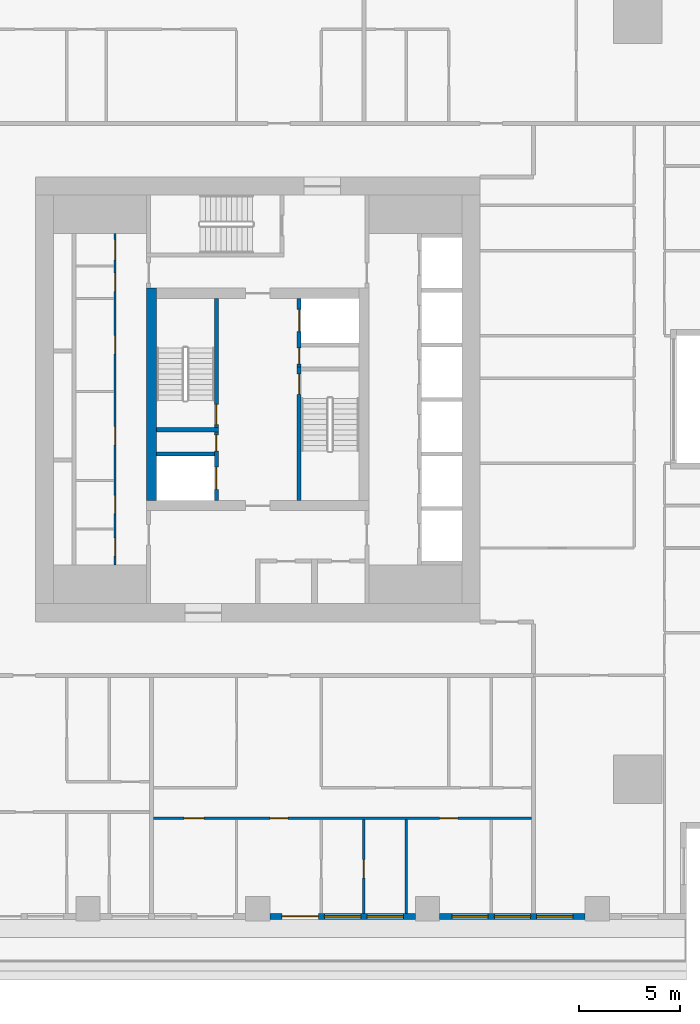
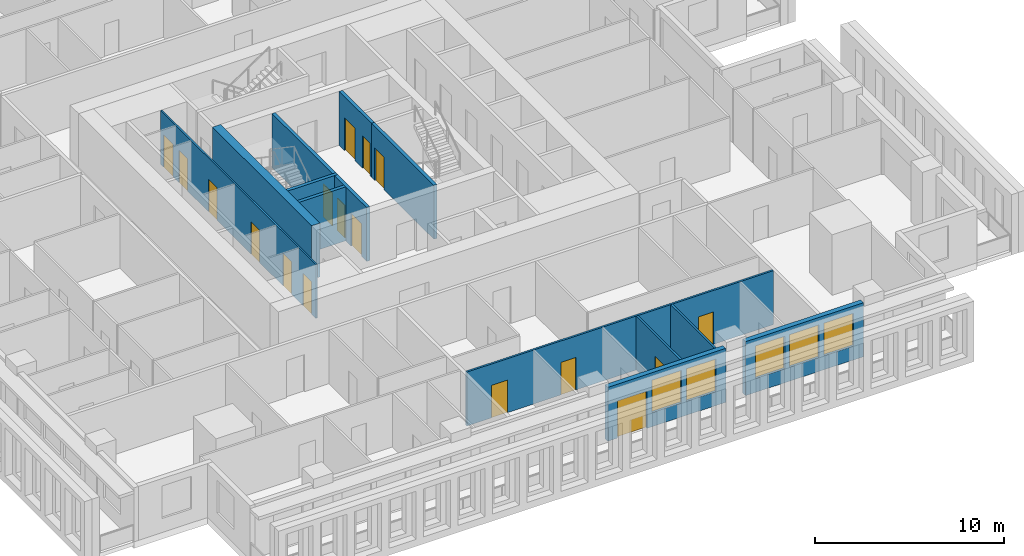
# One storey, part 4 of 16: 17 doors, 13 walls, 5 windows, 22 openings.
"""IFC4 building model written with IfcOpenShell, lengths in metres."""

from ifc_helpers import new_model, si_unit, direction, frame, frame_2d, origin, place, context, subcontext, project, spatial, rectangle, extrude, material, layer, layer_set, type_object, element, fill, save


model = new_model("IFC4")

# Units and contexts
model_context = context("Model", 3, precision=1e-05, world=origin(), true_north=direction((0.0, 1.0)))
body_context = subcontext(model_context, "Body", "Model", "MODEL_VIEW")
ifc_project = project(units=[si_unit("LENGTHUNIT", "METRE"), si_unit("AREAUNIT", "SQUARE_METRE"), si_unit("VOLUMEUNIT", "CUBIC_METRE"), si_unit("PLANEANGLEUNIT", "RADIAN"), si_unit("MASSUNIT", "GRAM", prefix="KILO")], contexts=[model_context])

# Site, building, storey
site_placement = place(None, origin())
site = spatial("IfcSite", under=ifc_project, at=site_placement, CompositionType="ELEMENT")
building_placement = place(site_placement, origin())
building = spatial("IfcBuilding", under=site, at=building_placement, Name="Khepri Terraces", CompositionType="ELEMENT")
storey_placement = place(building_placement, frame((0.0, 0.0, 192.300048828125)))
storey = spatial("IfcBuildingStorey", under=building, at=storey_placement, Name="L45", CompositionType="ELEMENT", Elevation=192.300048828125)

# Wall, opening, door
ifc_material_1 = material(Name="Concrete C50/60", Category="concrete")
ifc_layer_1 = layer(ifc_material_1, 0.199951171875, Name="Concrete C50/60", Category="concrete")
ifc_layer_set_1 = layer_set([ifc_layer_1], Name="Concrete C50/60")
wall_type_1 = type_object("IfcWallType", Name="Core wall 200 C50/60", PredefinedType="SHEAR", material=ifc_layer_set_1)
wall_1_placement = place(storey_placement, frame((2.050048828125, -5.0, 0.0), z_axis=(0.0, 0.0, 1.0), x_axis=(0.0, 1.0, 0.0)))
wall_1 = element("IfcWall", 1, at=wall_1_placement, inside=storey, type_object=wall_type_1, Name="Core wall ST01 L45", PredefinedType="SHEAR", context=body_context, shape_type="SweptSolid", body=[
    extrude(rectangle(XDim=6.60009765625, YDim=0.199951171875, at=frame_2d((3.300048828125, 0.0))), origin(), (0.0, 0.0, 1.0), 3.47998046875),
])
opening_1_placement = place(wall_1_placement, frame((5.25, 0.0, 0.0)))
opening_1 = element("IfcOpeningElement", 2, at=opening_1_placement, cuts=wall_1, Name="Opening L45-C10", PredefinedType="OPENING", context=body_context, shape_type="SweptSolid", body=[
    extrude(rectangle(XDim=1.0, YDim=2.10009765625, at=frame_2d((0.5, 1.050048828125))), frame((0.0, 0.10986328125, 0.0), z_axis=(0.0, -1.0, 0.0), x_axis=(1.0, 0.0, 0.0)), (0.0, 0.0, 1.0), 0.219970703125),
])
ifc_material_2 = material(Name="Painted steel", Category="steel")
door_type_1 = type_object("IfcDoorType", Name="DR-CORE-STAIR-1000", OperationType="NOTDEFINED", PredefinedType="DOOR", material=ifc_material_2)
door_1_placement = place(opening_1_placement, frame((1.0, 0.0, 0.0), z_axis=(0.0, 0.0, 1.0), x_axis=(-1.0, 0.0, 0.0)))
door_1 = element("IfcDoor", 3, at=door_1_placement, inside=storey, type_object=door_type_1, Name="Stair door L45-C10", OperationType="SINGLE_SWING_LEFT", OverallHeight=2.10009765625, OverallWidth=1.0, PredefinedType="DOOR", context=body_context, shape_type="SweptSolid", body=[
    extrude(rectangle(XDim=1.0, YDim=2.10009765625, at=frame_2d((0.5, 1.050048828125))), frame((0.0, 0.02490234375, 0.0), z_axis=(0.0, -1.0, 0.0), x_axis=(1.0, 0.0, 0.0)), (0.0, 0.0, 1.0), 0.050048828125),
])
fill(opening_1, door_1)

# Wall
wall_2_placement = place(storey_placement, frame((-5.0, -1.5, 0.0), z_axis=(0.0, 0.0, 1.0), x_axis=(1.0, 0.0, 0.0)))
element("IfcWall", 4, at=wall_2_placement, inside=storey, type_object=wall_type_1, Name="Core wall ST02 L45", PredefinedType="SHEAR", context=body_context, shape_type="SweptSolid", body=[
    extrude(rectangle(XDim=3.050048828125, YDim=0.199951171875, at=frame_2d((1.52490234375, 0.0))), origin(), (0.0, 0.0, 1.0), 3.47998046875),
])

# Wall, opening, door
wall_3_placement = place(storey_placement, frame((-2.050048828125, -1.39990234375, 0.0), z_axis=(0.0, 0.0, 1.0), x_axis=(0.0, 1.0, 0.0)))
wall_3 = element("IfcWall", 5, at=wall_3_placement, inside=storey, type_object=wall_type_1, Name="Core wall ST03 L45", PredefinedType="SHEAR", context=body_context, shape_type="SweptSolid", body=[
    extrude(rectangle(XDim=6.39990234375, YDim=0.199951171875, at=frame_2d((3.199951171875, 0.0))), origin(), (0.0, 0.0, 1.0), 3.47998046875),
])
opening_2_placement = place(wall_3_placement, frame((0.14990234375, 0.0, 0.0)))
opening_2 = element("IfcOpeningElement", 6, at=opening_2_placement, cuts=wall_3, Name="Opening L45-C09", PredefinedType="OPENING", context=body_context, shape_type="SweptSolid", body=[
    extrude(rectangle(XDim=1.0, YDim=2.10009765625, at=frame_2d((0.5, 1.050048828125))), frame((0.0, 0.10986328125, 0.0), z_axis=(0.0, -1.0, 0.0), x_axis=(1.0, 0.0, 0.0)), (0.0, 0.0, 1.0), 0.219970703125),
])
door_2_placement = place(opening_2_placement, origin())
door_2 = element("IfcDoor", 7, at=door_2_placement, inside=storey, type_object=door_type_1, Name="Stair door L45-C09", OperationType="SINGLE_SWING_LEFT", OverallHeight=2.10009765625, OverallWidth=1.0, PredefinedType="DOOR", context=body_context, shape_type="SweptSolid", body=[
    extrude(rectangle(XDim=1.0, YDim=2.10009765625, at=frame_2d((0.5, 1.050048828125))), frame((0.0, 0.02490234375, 0.0), z_axis=(0.0, -1.0, 0.0), x_axis=(1.0, 0.0, 0.0)), (0.0, 0.0, 1.0), 0.050048828125),
])
fill(opening_2, door_2)

# Wall, openings, doors
wall_4_placement = place(storey_placement, frame((-2.050048828125, -5.0, 0.0), z_axis=(0.0, 0.0, 1.0), x_axis=(0.0, 1.0, 0.0)))
wall_4 = element("IfcWall", 8, at=wall_4_placement, inside=storey, type_object=wall_type_1, Name="Core wall SH05 L45", PredefinedType="SHEAR", context=body_context, shape_type="SweptSolid", body=[
    extrude(rectangle(XDim=3.39990234375, YDim=0.199951171875, at=frame_2d((1.699951171875, 0.0))), origin(), (0.0, 0.0, 1.0), 3.47998046875),
])
opening_3_placement = place(wall_4_placement, frame((0.550048828125, 0.0, 0.0)))
opening_3 = element("IfcOpeningElement", 9, at=opening_3_placement, cuts=wall_4, Name="Opening L45-C08", PredefinedType="OPENING", context=body_context, shape_type="SweptSolid", body=[
    extrude(rectangle(XDim=1.10009765625, YDim=2.10009765625, at=frame_2d((0.550048828125, 1.050048828125))), frame((0.0, 0.10986328125, 0.0), z_axis=(0.0, -1.0, 0.0), x_axis=(1.0, 0.0, 0.0)), (0.0, 0.0, 1.0), 0.219970703125),
])
opening_4_placement = place(wall_4_placement, frame((2.449951171875, 0.0, 0.0)))
opening_4 = element("IfcOpeningElement", 10, at=opening_4_placement, cuts=wall_4, Name="Opening L45-C12", PredefinedType="OPENING", context=body_context, shape_type="SweptSolid", body=[
    extrude(rectangle(XDim=0.800048828125, YDim=2.10009765625, at=frame_2d((0.39990234375, 1.050048828125))), frame((0.0, 0.10986328125, 0.0), z_axis=(0.0, -1.0, 0.0), x_axis=(1.0, 0.0, 0.0)), (0.0, 0.0, 1.0), 0.219970703125),
])
ifc_material_3 = material(Name="Stainless steel 304", Category="steel")
door_type_2 = type_object("IfcDoorType", Name="DR-CORE-FF-LANDING-1100", OperationType="NOTDEFINED", PredefinedType="DOOR", material=ifc_material_3)
door_3_placement = place(opening_3_placement, origin())
door_3 = element("IfcDoor", 11, at=door_3_placement, inside=storey, type_object=door_type_2, Name="Firefighting lift landing door L45-C08", OperationType="SLIDING_TO_LEFT", OverallHeight=2.10009765625, OverallWidth=1.10009765625, PredefinedType="DOOR", context=body_context, shape_type="SweptSolid", body=[
    extrude(rectangle(XDim=1.10009765625, YDim=2.10009765625, at=frame_2d((0.550048828125, 1.050048828125))), frame((0.0, 0.02490234375, 0.0), z_axis=(0.0, -1.0, 0.0), x_axis=(1.0, 0.0, 0.0)), (0.0, 0.0, 1.0), 0.050048828125),
])
fill(opening_3, door_3)
door_type_3 = type_object("IfcDoorType", Name="DR-CORE-RISER-800", OperationType="NOTDEFINED", PredefinedType="DOOR", material=ifc_material_2)
door_4_placement = place(opening_4_placement, origin())
door_4 = element("IfcDoor", 12, at=door_4_placement, inside=storey, type_object=door_type_3, Name="Riser door L45-C12", OperationType="SINGLE_SWING_RIGHT", OverallHeight=2.10009765625, OverallWidth=0.800048828125, PredefinedType="DOOR", context=body_context, shape_type="SweptSolid", body=[
    extrude(rectangle(XDim=0.800048828125, YDim=2.10009765625, at=frame_2d((0.39990234375, 1.050048828125))), frame((0.0, 0.02490234375, 0.0), z_axis=(0.0, -1.0, 0.0), x_axis=(1.0, 0.0, 0.0)), (0.0, 0.0, 1.0), 0.050048828125),
])
fill(opening_4, door_4)

# Wall
wall_5_placement = place(storey_placement, frame((-5.0, -2.699951171875, 0.0), z_axis=(0.0, 0.0, 1.0), x_axis=(1.0, 0.0, 0.0)))
element("IfcWall", 13, at=wall_5_placement, inside=storey, type_object=wall_type_1, Name="Core wall SH07 L45", PredefinedType="SHEAR", context=body_context, shape_type="SweptSolid", body=[
    extrude(rectangle(XDim=2.85009765625, YDim=0.199951171875, at=frame_2d((1.425048828125, 0.0))), origin(), (0.0, 0.0, 1.0), 3.47998046875),
])

# Wall, openings, doors
wall_6_placement = place(storey_placement, frame((2.050048828125, 1.60009765625, 0.0), z_axis=(0.0, 0.0, 1.0), x_axis=(0.0, 1.0, 0.0)))
wall_6 = element("IfcWall", 14, at=wall_6_placement, inside=storey, type_object=wall_type_1, Name="Core wall SH10 L45", PredefinedType="SHEAR", context=body_context, shape_type="SweptSolid", body=[
    extrude(rectangle(XDim=3.39990234375, YDim=0.199951171875, at=frame_2d((1.699951171875, 0.0))), origin(), (0.0, 0.0, 1.0), 3.47998046875),
])
opening_5_placement = place(wall_6_placement, frame((1.75, 0.0, 0.0)))
opening_5 = element("IfcOpeningElement", 15, at=opening_5_placement, cuts=wall_6, Name="Opening L45-C07", PredefinedType="OPENING", context=body_context, shape_type="SweptSolid", body=[
    extrude(rectangle(XDim=1.10009765625, YDim=2.10009765625, at=frame_2d((0.550048828125, 1.050048828125))), frame((0.0, 0.10986328125, 0.0), z_axis=(0.0, -1.0, 0.0), x_axis=(1.0, 0.0, 0.0)), (0.0, 0.0, 1.0), 0.219970703125),
])
opening_6_placement = place(wall_6_placement, frame((0.14990234375, 0.0, 0.0)))
opening_6 = element("IfcOpeningElement", 16, at=opening_6_placement, cuts=wall_6, Name="Opening L45-C11", PredefinedType="OPENING", context=body_context, shape_type="SweptSolid", body=[
    extrude(rectangle(XDim=0.800048828125, YDim=2.10009765625, at=frame_2d((0.39990234375, 1.050048828125))), frame((0.0, 0.10986328125, 0.0), z_axis=(0.0, -1.0, 0.0), x_axis=(1.0, 0.0, 0.0)), (0.0, 0.0, 1.0), 0.219970703125),
])
door_5_placement = place(opening_5_placement, origin())
door_5 = element("IfcDoor", 17, at=door_5_placement, inside=storey, type_object=door_type_2, Name="Firefighting lift landing door L45-C07", OperationType="SLIDING_TO_LEFT", OverallHeight=2.10009765625, OverallWidth=1.10009765625, PredefinedType="DOOR", context=body_context, shape_type="SweptSolid", body=[
    extrude(rectangle(XDim=1.10009765625, YDim=2.10009765625, at=frame_2d((0.550048828125, 1.050048828125))), frame((0.0, 0.02490234375, 0.0), z_axis=(0.0, -1.0, 0.0), x_axis=(1.0, 0.0, 0.0)), (0.0, 0.0, 1.0), 0.050048828125),
])
fill(opening_5, door_5)
door_6_placement = place(opening_6_placement, frame((0.800048828125, 0.0, 0.0), z_axis=(0.0, 0.0, 1.0), x_axis=(-1.0, 0.0, 0.0)))
door_6 = element("IfcDoor", 18, at=door_6_placement, inside=storey, type_object=door_type_3, Name="Riser door L45-C11", OperationType="SINGLE_SWING_RIGHT", OverallHeight=2.10009765625, OverallWidth=0.800048828125, PredefinedType="DOOR", context=body_context, shape_type="SweptSolid", body=[
    extrude(rectangle(XDim=0.800048828125, YDim=2.10009765625, at=frame_2d((0.39990234375, 1.050048828125))), frame((0.0, 0.02490234375, 0.0), z_axis=(0.0, -1.0, 0.0), x_axis=(1.0, 0.0, 0.0)), (0.0, 0.0, 1.0), 0.050048828125),
])
fill(opening_6, door_6)

# Wall
ifc_layer_2 = layer(ifc_material_1, 0.5, Name="Concrete C50/60", Category="concrete")
ifc_layer_set_2 = layer_set([ifc_layer_2], Name="Concrete C50/60")
wall_type_2 = type_object("IfcWallType", Name="Core wall 500 C50/60", PredefinedType="SHEAR", material=ifc_layer_set_2)
wall_7_placement = place(storey_placement, frame((-5.25, -5.0, 0.0), z_axis=(0.0, 0.0, 1.0), x_axis=(0.0, 1.0, 0.0)))
element("IfcWall", 19, at=wall_7_placement, inside=storey, type_object=wall_type_2, Name="Core wall BX02 L45", PredefinedType="SHEAR", context=body_context, shape_type="SweptSolid", body=[
    extrude(rectangle(XDim=10.5, YDim=0.5, at=frame_2d((5.25, 0.0))), origin(), (0.0, 0.0, 1.0), 3.47998046875),
])

# Wall, openings, doors
ifc_material_4 = material(Name="Fire-rated gypsum board partition")
ifc_layer_3 = layer(ifc_material_4, 0.10009765625, Name="Fire-rated gypsum board partition")
ifc_layer_set_3 = layer_set([ifc_layer_3], Name="Fire-rated gypsum board partition")
wall_type_3 = type_object("IfcWallType", Name="WL-CORE-PART-100", PredefinedType="PARTITIONING", material=ifc_layer_set_3)
wall_8_placement = place(storey_placement, frame((-7.050048828125, -8.199951171875, 0.0), z_axis=(0.0, 0.0, 1.0), x_axis=(0.0, 1.0, 0.0)))
wall_8 = element("IfcWall", 20, at=wall_8_placement, inside=storey, type_object=wall_type_3, Name="Core partition PT05 L45", PredefinedType="PARTITIONING", context=body_context, shape_type="SweptSolid", body=[
    extrude(rectangle(XDim=16.39990234375, YDim=0.10009765625, at=frame_2d((8.199951171875, 0.0))), origin(), (0.0, 0.0, 1.0), 3.47998046875),
])
opening_7_placement = place(wall_8_placement, frame((0.449951171875, 0.0, 0.0)))
opening_7 = element("IfcOpeningElement", 21, at=opening_7_placement, cuts=wall_8, Name="Opening L45-C24", PredefinedType="OPENING", context=body_context, shape_type="SweptSolid", body=[
    extrude(rectangle(XDim=0.89990234375, YDim=2.10009765625, at=frame_2d((0.449951171875, 1.050048828125))), frame((0.0, 0.06005859375, 0.0), z_axis=(0.0, -1.0, 0.0), x_axis=(1.0, 0.0, 0.0)), (0.0, 0.0, 1.0), 0.1201171875),
])
opening_8_placement = place(wall_8_placement, frame((2.550048828125, 0.0, 0.0)))
opening_8 = element("IfcOpeningElement", 22, at=opening_8_placement, cuts=wall_8, Name="Opening L45-C25", PredefinedType="OPENING", context=body_context, shape_type="SweptSolid", body=[
    extrude(rectangle(XDim=0.89990234375, YDim=2.10009765625, at=frame_2d((0.449951171875, 1.050048828125))), frame((0.0, 0.06005859375, 0.0), z_axis=(0.0, -1.0, 0.0), x_axis=(1.0, 0.0, 0.0)), (0.0, 0.0, 1.0), 0.1201171875),
])
opening_9_placement = place(wall_8_placement, frame((5.949951171875, 0.0, 0.0)))
opening_9 = element("IfcOpeningElement", 23, at=opening_9_placement, cuts=wall_8, Name="Opening L45-C26", PredefinedType="OPENING", context=body_context, shape_type="SweptSolid", body=[
    extrude(rectangle(XDim=0.89990234375, YDim=2.10009765625, at=frame_2d((0.449951171875, 1.050048828125))), frame((0.0, 0.06005859375, 0.0), z_axis=(0.0, -1.0, 0.0), x_axis=(1.0, 0.0, 0.0)), (0.0, 0.0, 1.0), 0.1201171875),
])
opening_10_placement = place(wall_8_placement, frame((10.449951171875, 0.0, 0.0)))
opening_10 = element("IfcOpeningElement", 24, at=opening_10_placement, cuts=wall_8, Name="Opening L45-C27", PredefinedType="OPENING", context=body_context, shape_type="SweptSolid", body=[
    extrude(rectangle(XDim=0.89990234375, YDim=2.10009765625, at=frame_2d((0.449951171875, 1.050048828125))), frame((0.0, 0.06005859375, 0.0), z_axis=(0.0, -1.0, 0.0), x_axis=(1.0, 0.0, 0.0)), (0.0, 0.0, 1.0), 0.1201171875),
])
opening_11_placement = place(wall_8_placement, frame((13.550048828125, 0.0, 0.0)))
opening_11 = element("IfcOpeningElement", 25, at=opening_11_placement, cuts=wall_8, Name="Opening L45-C28", PredefinedType="OPENING", context=body_context, shape_type="SweptSolid", body=[
    extrude(rectangle(XDim=0.89990234375, YDim=2.10009765625, at=frame_2d((0.449951171875, 1.050048828125))), frame((0.0, 0.06005859375, 0.0), z_axis=(0.0, -1.0, 0.0), x_axis=(1.0, 0.0, 0.0)), (0.0, 0.0, 1.0), 0.1201171875),
])
opening_12_placement = place(wall_8_placement, frame((15.10009765625, 0.0, 0.0)))
opening_12 = element("IfcOpeningElement", 26, at=opening_12_placement, cuts=wall_8, Name="Opening L45-C29", PredefinedType="OPENING", context=body_context, shape_type="SweptSolid", body=[
    extrude(rectangle(XDim=1.0, YDim=2.10009765625, at=frame_2d((0.5, 1.050048828125))), frame((0.0, 0.06005859375, 0.0), z_axis=(0.0, -1.0, 0.0), x_axis=(1.0, 0.0, 0.0)), (0.0, 0.0, 1.0), 0.1201171875),
])
door_type_4 = type_object("IfcDoorType", Name="DR-CORE-SERVICE-900", OperationType="NOTDEFINED", PredefinedType="DOOR", material=ifc_material_2)
door_7_placement = place(opening_7_placement, origin())
door_7 = element("IfcDoor", 27, at=door_7_placement, inside=storey, type_object=door_type_4, Name="Service room door L45-C24", OperationType="SINGLE_SWING_LEFT", OverallHeight=2.10009765625, OverallWidth=0.89990234375, PredefinedType="DOOR", context=body_context, shape_type="SweptSolid", body=[
    extrude(rectangle(XDim=0.89990234375, YDim=2.10009765625, at=frame_2d((0.449951171875, 1.050048828125))), frame((0.0, 0.02490234375, 0.0), z_axis=(0.0, -1.0, 0.0), x_axis=(1.0, 0.0, 0.0)), (0.0, 0.0, 1.0), 0.050048828125),
])
fill(opening_7, door_7)
door_8_placement = place(opening_8_placement, origin())
door_8 = element("IfcDoor", 28, at=door_8_placement, inside=storey, type_object=door_type_4, Name="Service room door L45-C25", OperationType="SINGLE_SWING_LEFT", OverallHeight=2.10009765625, OverallWidth=0.89990234375, PredefinedType="DOOR", context=body_context, shape_type="SweptSolid", body=[
    extrude(rectangle(XDim=0.89990234375, YDim=2.10009765625, at=frame_2d((0.449951171875, 1.050048828125))), frame((0.0, 0.02490234375, 0.0), z_axis=(0.0, -1.0, 0.0), x_axis=(1.0, 0.0, 0.0)), (0.0, 0.0, 1.0), 0.050048828125),
])
fill(opening_8, door_8)
door_9_placement = place(opening_9_placement, origin())
door_9 = element("IfcDoor", 29, at=door_9_placement, inside=storey, type_object=door_type_4, Name="Service room door L45-C26", OperationType="SINGLE_SWING_LEFT", OverallHeight=2.10009765625, OverallWidth=0.89990234375, PredefinedType="DOOR", context=body_context, shape_type="SweptSolid", body=[
    extrude(rectangle(XDim=0.89990234375, YDim=2.10009765625, at=frame_2d((0.449951171875, 1.050048828125))), frame((0.0, 0.02490234375, 0.0), z_axis=(0.0, -1.0, 0.0), x_axis=(1.0, 0.0, 0.0)), (0.0, 0.0, 1.0), 0.050048828125),
])
fill(opening_9, door_9)
door_10_placement = place(opening_10_placement, origin())
door_10 = element("IfcDoor", 30, at=door_10_placement, inside=storey, type_object=door_type_4, Name="Service room door L45-C27", OperationType="SINGLE_SWING_RIGHT", OverallHeight=2.10009765625, OverallWidth=0.89990234375, PredefinedType="DOOR", context=body_context, shape_type="SweptSolid", body=[
    extrude(rectangle(XDim=0.89990234375, YDim=2.10009765625, at=frame_2d((0.449951171875, 1.050048828125))), frame((0.0, 0.02490234375, 0.0), z_axis=(0.0, -1.0, 0.0), x_axis=(1.0, 0.0, 0.0)), (0.0, 0.0, 1.0), 0.050048828125),
])
fill(opening_10, door_10)
door_11_placement = place(opening_11_placement, origin())
door_11 = element("IfcDoor", 31, at=door_11_placement, inside=storey, type_object=door_type_4, Name="Service room door L45-C28", OperationType="SINGLE_SWING_RIGHT", OverallHeight=2.10009765625, OverallWidth=0.89990234375, PredefinedType="DOOR", context=body_context, shape_type="SweptSolid", body=[
    extrude(rectangle(XDim=0.89990234375, YDim=2.10009765625, at=frame_2d((0.449951171875, 1.050048828125))), frame((0.0, 0.02490234375, 0.0), z_axis=(0.0, -1.0, 0.0), x_axis=(1.0, 0.0, 0.0)), (0.0, 0.0, 1.0), 0.050048828125),
])
fill(opening_11, door_11)
ifc_material_5 = material(Name="Timber veneer", Category="wood")
door_type_5 = type_object("IfcDoorType", Name="DR-CORE-WC-1000", OperationType="NOTDEFINED", PredefinedType="DOOR", material=ifc_material_5)
door_12_placement = place(opening_12_placement, origin())
door_12 = element("IfcDoor", 32, at=door_12_placement, inside=storey, type_object=door_type_5, Name="WC door L45-C29", OperationType="SINGLE_SWING_RIGHT", OverallHeight=2.10009765625, OverallWidth=1.0, PredefinedType="DOOR", context=body_context, shape_type="SweptSolid", body=[
    extrude(rectangle(XDim=1.0, YDim=2.10009765625, at=frame_2d((0.5, 1.050048828125))), frame((0.0, 0.02490234375, 0.0), z_axis=(0.0, -1.0, 0.0), x_axis=(1.0, 0.0, 0.0)), (0.0, 0.0, 1.0), 0.050048828125),
])
fill(opening_12, door_12)

# Wall, openings, door, windows
ifc_material_6 = material(Name="Precast concrete C50/60 warm stone", Category="masonry")
ifc_layer_4 = layer(ifc_material_6, 0.300048828125, Name="Precast concrete C50/60 warm stone", Category="masonry")
ifc_layer_set_4 = layer_set([ifc_layer_4], Name="Precast concrete C50/60 warm stone")
wall_type_4 = type_object("IfcWallType", Name="WL-EXT-PRECAST-300", PredefinedType="STANDARD", material=ifc_layer_set_4)
wall_9_placement = place(storey_placement, frame((0.60009765625, -25.570068359375, 0.0), z_axis=(0.0, 0.0, 1.0), x_axis=(1.0, 0.0, 0.0)))
wall_9 = element("IfcWall", 33, at=wall_9_placement, inside=storey, type_object=wall_type_4, Name="External wall L45 S", PredefinedType="STANDARD", context=body_context, shape_type="SweptSolid", body=[
    extrude(rectangle(XDim=7.199951171875, YDim=0.300048828125, at=frame_2d((3.60009765625, 0.0))), origin(), (0.0, 0.0, 1.0), 3.47998046875),
])
opening_13_placement = place(wall_9_placement, frame((0.60009765625, 0.0, 0.0)))
opening_13 = element("IfcOpeningElement", 34, at=opening_13_placement, cuts=wall_9, Name="Opening ED-L45-20", PredefinedType="OPENING", context=body_context, shape_type="SweptSolid", body=[
    extrude(rectangle(XDim=1.800048828125, YDim=2.39990234375, at=frame_2d((0.89990234375, 1.199951171875))), frame((0.0, 0.16015625, 0.0), z_axis=(0.0, -1.0, 0.0), x_axis=(1.0, 0.0, 0.0)), (0.0, 0.0, 1.0), 0.320068359375),
])
opening_14_placement = place(wall_9_placement, frame((2.699951171875, 0.0, 0.89990234375)))
opening_14 = element("IfcOpeningElement", 35, at=opening_14_placement, cuts=wall_9, Name="Opening W1", PredefinedType="OPENING", context=body_context, shape_type="SweptSolid", body=[
    extrude(rectangle(XDim=1.800048828125, YDim=2.10009765625, at=frame_2d((0.89990234375, 1.050048828125))), frame((0.0, 0.16015625, 0.0), z_axis=(0.0, -1.0, 0.0), x_axis=(1.0, 0.0, 0.0)), (0.0, 0.0, 1.0), 0.320068359375),
])
opening_15_placement = place(wall_9_placement, frame((4.800048828125, 0.0, 0.89990234375)))
opening_15 = element("IfcOpeningElement", 36, at=opening_15_placement, cuts=wall_9, Name="Opening W1", PredefinedType="OPENING", context=body_context, shape_type="SweptSolid", body=[
    extrude(rectangle(XDim=1.800048828125, YDim=2.10009765625, at=frame_2d((0.89990234375, 1.050048828125))), frame((0.0, 0.16015625, 0.0), z_axis=(0.0, -1.0, 0.0), x_axis=(1.0, 0.0, 0.0)), (0.0, 0.0, 1.0), 0.320068359375),
])
ifc_material_7 = material(Name="Anodised aluminium bronze glazed door", Category="aluminium")
door_type_6 = type_object("IfcDoorType", Name="DR-BAL-SLIDE-1800x2400", OperationType="NOTDEFINED", PredefinedType="DOOR", material=ifc_material_7)
door_13_placement = place(opening_13_placement, origin())
door_13 = element("IfcDoor", 37, at=door_13_placement, inside=storey, type_object=door_type_6, Name="Balcony door L45 S", OperationType="SLIDING_TO_LEFT", OverallHeight=2.39990234375, OverallWidth=1.800048828125, PredefinedType="DOOR", context=body_context, shape_type="SweptSolid", body=[
    extrude(rectangle(XDim=1.800048828125, YDim=2.39990234375, at=frame_2d((0.89990234375, 1.199951171875))), frame((0.0, 0.02490234375, 0.0), z_axis=(0.0, -1.0, 0.0), x_axis=(1.0, 0.0, 0.0)), (0.0, 0.0, 1.0), 0.050048828125),
])
fill(opening_13, door_13)
ifc_material_8 = material(Name="Clear glass", Category="glass")
window_type = type_object("IfcWindowType", Name="WIN-RES-1800x2100", PartitioningType="SINGLE_PANEL", PredefinedType="WINDOW", material=ifc_material_8)
window_1_placement = place(opening_14_placement, origin())
window_1 = element("IfcWindow", 38, at=window_1_placement, inside=storey, type_object=window_type, Name="Window L45 S", OverallHeight=2.10009765625, OverallWidth=1.800048828125, PartitioningType="SINGLE_PANEL", PredefinedType="WINDOW", context=body_context, shape_type="SweptSolid", body=[
    extrude(rectangle(XDim=1.800048828125, YDim=2.10009765625, at=frame_2d((0.89990234375, 1.050048828125))), frame((0.0, 0.030029296875, 0.0), z_axis=(0.0, -1.0, 0.0), x_axis=(1.0, 0.0, 0.0)), (0.0, 0.0, 1.0), 0.06005859375),
])
fill(opening_14, window_1)
window_2_placement = place(opening_15_placement, origin())
window_2 = element("IfcWindow", 39, at=window_2_placement, inside=storey, type_object=window_type, Name="Window L45 S", OverallHeight=2.10009765625, OverallWidth=1.800048828125, PartitioningType="SINGLE_PANEL", PredefinedType="WINDOW", context=body_context, shape_type="SweptSolid", body=[
    extrude(rectangle(XDim=1.800048828125, YDim=2.10009765625, at=frame_2d((0.89990234375, 1.050048828125))), frame((0.0, 0.030029296875, 0.0), z_axis=(0.0, -1.0, 0.0), x_axis=(1.0, 0.0, 0.0)), (0.0, 0.0, 1.0), 0.06005859375),
])
fill(opening_15, window_2)

# Wall, openings, windows
wall_10_placement = place(storey_placement, frame((9.0, -25.570068359375, 0.0), z_axis=(0.0, 0.0, 1.0), x_axis=(1.0, 0.0, 0.0)))
wall_10 = element("IfcWall", 40, at=wall_10_placement, inside=storey, type_object=wall_type_4, Name="External wall L45 S", PredefinedType="STANDARD", context=body_context, shape_type="SweptSolid", body=[
    extrude(rectangle(XDim=7.199951171875, YDim=0.300048828125, at=frame_2d((3.60009765625, 0.0))), origin(), (0.0, 0.0, 1.0), 3.47998046875),
])
opening_16_placement = place(wall_10_placement, frame((0.60009765625, 0.0, 0.89990234375)))
opening_16 = element("IfcOpeningElement", 41, at=opening_16_placement, cuts=wall_10, Name="Opening W1", PredefinedType="OPENING", context=body_context, shape_type="SweptSolid", body=[
    extrude(rectangle(XDim=1.800048828125, YDim=2.10009765625, at=frame_2d((0.89990234375, 1.050048828125))), frame((0.0, 0.16015625, 0.0), z_axis=(0.0, -1.0, 0.0), x_axis=(1.0, 0.0, 0.0)), (0.0, 0.0, 1.0), 0.320068359375),
])
opening_17_placement = place(wall_10_placement, frame((2.699951171875, 0.0, 0.89990234375)))
opening_17 = element("IfcOpeningElement", 42, at=opening_17_placement, cuts=wall_10, Name="Opening W1", PredefinedType="OPENING", context=body_context, shape_type="SweptSolid", body=[
    extrude(rectangle(XDim=1.800048828125, YDim=2.10009765625, at=frame_2d((0.89990234375, 1.050048828125))), frame((0.0, 0.16015625, 0.0), z_axis=(0.0, -1.0, 0.0), x_axis=(1.0, 0.0, 0.0)), (0.0, 0.0, 1.0), 0.320068359375),
])
opening_18_placement = place(wall_10_placement, frame((4.800048828125, 0.0, 0.89990234375)))
opening_18 = element("IfcOpeningElement", 43, at=opening_18_placement, cuts=wall_10, Name="Opening W1", PredefinedType="OPENING", context=body_context, shape_type="SweptSolid", body=[
    extrude(rectangle(XDim=1.800048828125, YDim=2.10009765625, at=frame_2d((0.89990234375, 1.050048828125))), frame((0.0, 0.16015625, 0.0), z_axis=(0.0, -1.0, 0.0), x_axis=(1.0, 0.0, 0.0)), (0.0, 0.0, 1.0), 0.320068359375),
])
window_3_placement = place(opening_16_placement, origin())
window_3 = element("IfcWindow", 44, at=window_3_placement, inside=storey, type_object=window_type, Name="Window L45 S", OverallHeight=2.10009765625, OverallWidth=1.800048828125, PartitioningType="SINGLE_PANEL", PredefinedType="WINDOW", context=body_context, shape_type="SweptSolid", body=[
    extrude(rectangle(XDim=1.800048828125, YDim=2.10009765625, at=frame_2d((0.89990234375, 1.050048828125))), frame((0.0, 0.030029296875, 0.0), z_axis=(0.0, -1.0, 0.0), x_axis=(1.0, 0.0, 0.0)), (0.0, 0.0, 1.0), 0.06005859375),
])
fill(opening_16, window_3)
window_4_placement = place(opening_17_placement, origin())
window_4 = element("IfcWindow", 45, at=window_4_placement, inside=storey, type_object=window_type, Name="Window L45 S", OverallHeight=2.10009765625, OverallWidth=1.800048828125, PartitioningType="SINGLE_PANEL", PredefinedType="WINDOW", context=body_context, shape_type="SweptSolid", body=[
    extrude(rectangle(XDim=1.800048828125, YDim=2.10009765625, at=frame_2d((0.89990234375, 1.050048828125))), frame((0.0, 0.030029296875, 0.0), z_axis=(0.0, -1.0, 0.0), x_axis=(1.0, 0.0, 0.0)), (0.0, 0.0, 1.0), 0.06005859375),
])
fill(opening_17, window_4)
window_5_placement = place(opening_18_placement, origin())
window_5 = element("IfcWindow", 46, at=window_5_placement, inside=storey, type_object=window_type, Name="Window L45 S", OverallHeight=2.10009765625, OverallWidth=1.800048828125, PartitioningType="SINGLE_PANEL", PredefinedType="WINDOW", context=body_context, shape_type="SweptSolid", body=[
    extrude(rectangle(XDim=1.800048828125, YDim=2.10009765625, at=frame_2d((0.89990234375, 1.050048828125))), frame((0.0, 0.030029296875, 0.0), z_axis=(0.0, -1.0, 0.0), x_axis=(1.0, 0.0, 0.0)), (0.0, 0.0, 1.0), 0.06005859375),
])
fill(opening_18, window_5)

# Wall, opening, door
ifc_material_9 = material(Name="Gypsum plasterboard partition")
ifc_layer_5 = layer(ifc_material_9, 0.1201171875, Name="Gypsum plasterboard partition")
ifc_layer_set_5 = layer_set([ifc_layer_5], Name="Gypsum plasterboard partition")
wall_type_5 = type_object("IfcWallType", Name="WL-PART-120", PredefinedType="PARTITIONING", material=ifc_layer_set_5)
wall_11_placement = place(storey_placement, frame((5.25, -25.419921875, 0.0), z_axis=(0.0, 0.0, 1.0), x_axis=(0.0, 1.0, 0.0)))
wall_11 = element("IfcWall", 47, at=wall_11_placement, inside=storey, type_object=wall_type_5, Name="Partition P-007 L45", PredefinedType="PARTITIONING", context=body_context, shape_type="SweptSolid", body=[
    extrude(rectangle(XDim=4.639892578125, YDim=0.1201171875, at=frame_2d((2.31982421875, 0.0))), origin(), (0.0, 0.0, 1.0), 3.47998046875),
])
opening_19_placement = place(wall_11_placement, frame((1.75, 0.0, 0.0)))
opening_19 = element("IfcOpeningElement", 48, at=opening_19_placement, cuts=wall_11, Name="Opening D4", PredefinedType="OPENING", context=body_context, shape_type="SweptSolid", body=[
    extrude(rectangle(XDim=0.89990234375, YDim=2.10009765625, at=frame_2d((0.449951171875, 1.050048828125))), frame((0.0, 0.070068359375, 0.0), z_axis=(0.0, -1.0, 0.0), x_axis=(1.0, 0.0, 0.0)), (0.0, 0.0, 1.0), 0.14013671875),
])
ifc_material_10 = material(Name="Timber door leaf, moisture resistant", Category="wood")
door_type_7 = type_object("IfcDoorType", Name="DR-WET-900", OperationType="NOTDEFINED", PredefinedType="DOOR", material=ifc_material_10)
door_14_placement = place(opening_19_placement, frame((0.89990234375, 0.0, 0.0), z_axis=(0.0, 0.0, 1.0), x_axis=(-1.0, 0.0, 0.0)))
door_14 = element("IfcDoor", 49, at=door_14_placement, inside=storey, type_object=door_type_7, Name="Door Bathroom", OperationType="SINGLE_SWING_RIGHT", OverallHeight=2.10009765625, OverallWidth=0.89990234375, PredefinedType="DOOR", context=body_context, shape_type="SweptSolid", body=[
    extrude(rectangle(XDim=0.89990234375, YDim=2.10009765625, at=frame_2d((0.449951171875, 1.050048828125))), frame((0.0, 0.02490234375, 0.0), z_axis=(0.0, -1.0, 0.0), x_axis=(1.0, 0.0, 0.0)), (0.0, 0.0, 1.0), 0.050048828125),
])
fill(opening_19, door_14)

# Wall
wall_12_placement = place(storey_placement, frame((7.35009765625, -25.419921875, 0.0), z_axis=(0.0, 0.0, 1.0), x_axis=(0.0, 1.0, 0.0)))
element("IfcWall", 50, at=wall_12_placement, inside=storey, type_object=wall_type_5, Name="Partition P-008 L45", PredefinedType="PARTITIONING", context=body_context, shape_type="SweptSolid", body=[
    extrude(rectangle(XDim=4.639892578125, YDim=0.1201171875, at=frame_2d((2.31982421875, 0.0))), origin(), (0.0, 0.0, 1.0), 3.47998046875),
])

# Wall, openings, doors
wall_13_placement = place(storey_placement, frame((-5.14990234375, -20.719970703125, 0.0), z_axis=(0.0, 0.0, 1.0), x_axis=(1.0, 0.0, 0.0)))
wall_13 = element("IfcWall", 51, at=wall_13_placement, inside=storey, type_object=wall_type_5, Name="Partition P-013 L45", PredefinedType="PARTITIONING", context=body_context, shape_type="SweptSolid", body=[
    extrude(rectangle(XDim=18.699951171875, YDim=0.1201171875, at=frame_2d((9.35009765625, 0.0))), origin(), (0.0, 0.0, 1.0), 3.47998046875),
])
opening_20_placement = place(wall_13_placement, frame((1.5, 0.0, 0.0)))
opening_20 = element("IfcOpeningElement", 52, at=opening_20_placement, cuts=wall_13, Name="Opening D2", PredefinedType="OPENING", context=body_context, shape_type="SweptSolid", body=[
    extrude(rectangle(XDim=1.0, YDim=2.10009765625, at=frame_2d((0.5, 1.050048828125))), frame((0.0, 0.070068359375, 0.0), z_axis=(0.0, -1.0, 0.0), x_axis=(1.0, 0.0, 0.0)), (0.0, 0.0, 1.0), 0.14013671875),
])
opening_21_placement = place(wall_13_placement, frame((5.75, 0.0, 0.0)))
opening_21 = element("IfcOpeningElement", 53, at=opening_21_placement, cuts=wall_13, Name="Opening D3", PredefinedType="OPENING", context=body_context, shape_type="SweptSolid", body=[
    extrude(rectangle(XDim=0.89990234375, YDim=2.10009765625, at=frame_2d((0.449951171875, 1.050048828125))), frame((0.0, 0.070068359375, 0.0), z_axis=(0.0, -1.0, 0.0), x_axis=(1.0, 0.0, 0.0)), (0.0, 0.0, 1.0), 0.14013671875),
])
opening_22_placement = place(wall_13_placement, frame((14.14990234375, 0.0, 0.0)))
opening_22 = element("IfcOpeningElement", 54, at=opening_22_placement, cuts=wall_13, Name="Opening D3", PredefinedType="OPENING", context=body_context, shape_type="SweptSolid", body=[
    extrude(rectangle(XDim=0.89990234375, YDim=2.10009765625, at=frame_2d((0.449951171875, 1.050048828125))), frame((0.0, 0.070068359375, 0.0), z_axis=(0.0, -1.0, 0.0), x_axis=(1.0, 0.0, 0.0)), (0.0, 0.0, 1.0), 0.14013671875),
])
ifc_material_11 = material(Name="Timber door leaf, living room door", Category="wood")
door_type_8 = type_object("IfcDoorType", Name="DR-INT-1000", OperationType="NOTDEFINED", PredefinedType="DOOR", material=ifc_material_11)
door_15_placement = place(opening_20_placement, frame((1.0, 0.0, 0.0), z_axis=(0.0, 0.0, 1.0), x_axis=(-1.0, 0.0, 0.0)))
door_15 = element("IfcDoor", 55, at=door_15_placement, inside=storey, type_object=door_type_8, Name="Door Living Room", OperationType="SINGLE_SWING_RIGHT", OverallHeight=2.10009765625, OverallWidth=1.0, PredefinedType="DOOR", context=body_context, shape_type="SweptSolid", body=[
    extrude(rectangle(XDim=1.0, YDim=2.10009765625, at=frame_2d((0.5, 1.050048828125))), frame((0.0, 0.02490234375, 0.0), z_axis=(0.0, -1.0, 0.0), x_axis=(1.0, 0.0, 0.0)), (0.0, 0.0, 1.0), 0.050048828125),
])
fill(opening_20, door_15)
ifc_material_12 = material(Name="Timber door leaf", Category="wood")
door_type_9 = type_object("IfcDoorType", Name="DR-INT-900", OperationType="NOTDEFINED", PredefinedType="DOOR", material=ifc_material_12)
door_16_placement = place(opening_21_placement, frame((0.89990234375, 0.0, 0.0), z_axis=(0.0, 0.0, 1.0), x_axis=(-1.0, 0.0, 0.0)))
door_16 = element("IfcDoor", 56, at=door_16_placement, inside=storey, type_object=door_type_9, Name="Door Master Bedroom", OperationType="SINGLE_SWING_RIGHT", OverallHeight=2.10009765625, OverallWidth=0.89990234375, PredefinedType="DOOR", context=body_context, shape_type="SweptSolid", body=[
    extrude(rectangle(XDim=0.89990234375, YDim=2.10009765625, at=frame_2d((0.449951171875, 1.050048828125))), frame((0.0, 0.02490234375, 0.0), z_axis=(0.0, -1.0, 0.0), x_axis=(1.0, 0.0, 0.0)), (0.0, 0.0, 1.0), 0.050048828125),
])
fill(opening_21, door_16)
door_17_placement = place(opening_22_placement, frame((0.89990234375, 0.0, 0.0), z_axis=(0.0, 0.0, 1.0), x_axis=(-1.0, 0.0, 0.0)))
door_17 = element("IfcDoor", 57, at=door_17_placement, inside=storey, type_object=door_type_9, Name="Door Bedroom", OperationType="SINGLE_SWING_LEFT", OverallHeight=2.10009765625, OverallWidth=0.89990234375, PredefinedType="DOOR", context=body_context, shape_type="SweptSolid", body=[
    extrude(rectangle(XDim=0.89990234375, YDim=2.10009765625, at=frame_2d((0.449951171875, 1.050048828125))), frame((0.0, 0.02490234375, 0.0), z_axis=(0.0, -1.0, 0.0), x_axis=(1.0, 0.0, 0.0)), (0.0, 0.0, 1.0), 0.050048828125),
])
fill(opening_22, door_17)

save(model, "model.ifc")
